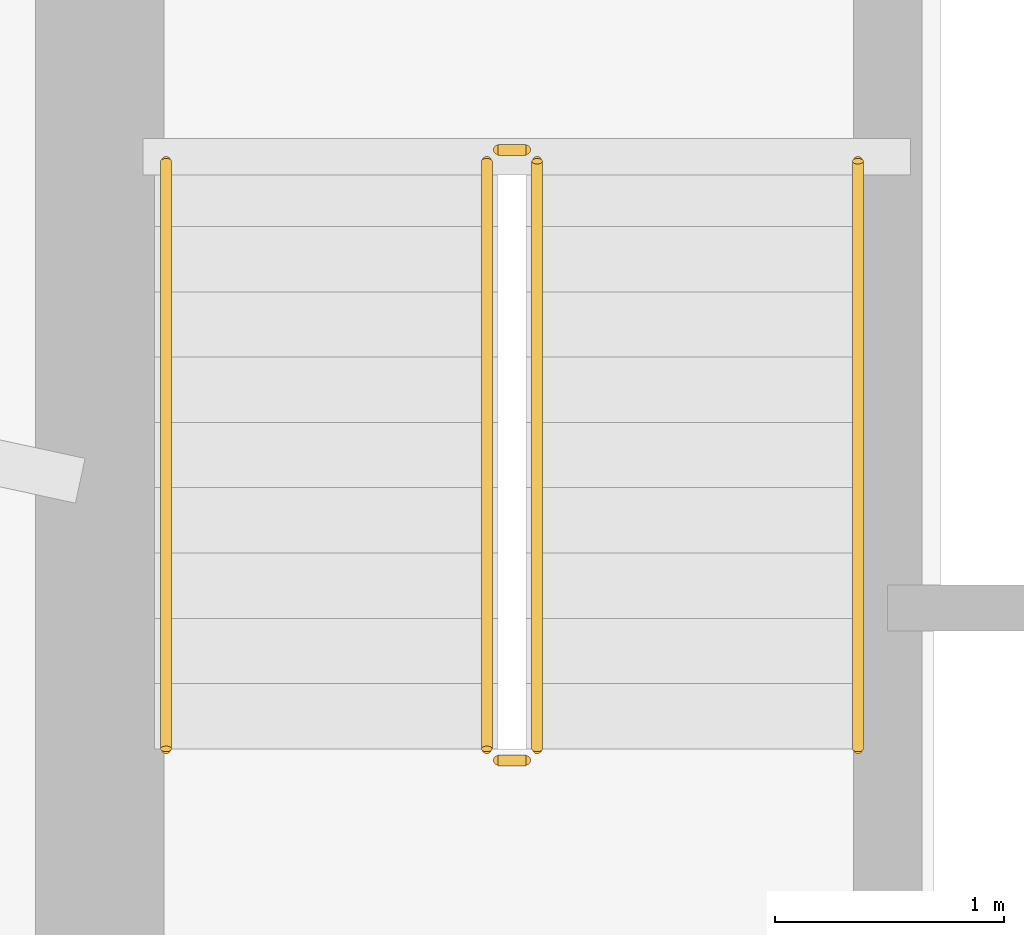
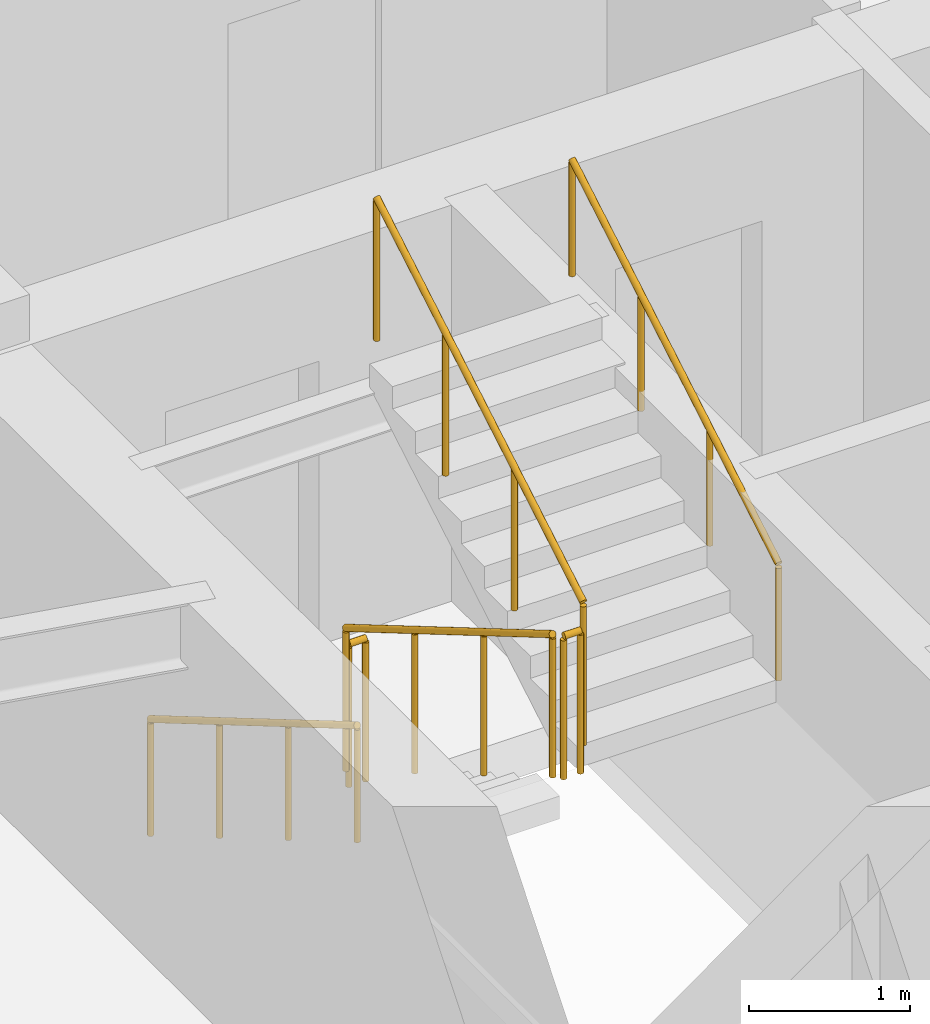
# One storey, part 19 of 20: 6 railings.
"""IFC4 building model written with IfcOpenShell, lengths in metres."""

from ifc_helpers import new_model, si_unit, direction, frame, origin, origin_2d, place, context, subcontext, project, spatial, circle, extrude, material, type_object, element, save


model = new_model("IFC4")

# Units and contexts
model_context = context("Model", 3, precision=1e-05, world=origin(), true_north=direction((0.0, 1.0)))
body_context = subcontext(model_context, "Body", "Model", "MODEL_VIEW")
ifc_project = project(units=[si_unit("LENGTHUNIT", "METRE"), si_unit("AREAUNIT", "SQUARE_METRE"), si_unit("VOLUMEUNIT", "CUBIC_METRE"), si_unit("PLANEANGLEUNIT", "RADIAN"), si_unit("MASSUNIT", "GRAM", prefix="KILO")], contexts=[model_context])

# Site, building, storey
site_placement = place(None, origin())
site = spatial("IfcSite", under=ifc_project, at=site_placement, CompositionType="ELEMENT")
building_placement = place(site_placement, origin())
building = spatial("IfcBuilding", under=site, at=building_placement, Name="Qobustan Lattice House", CompositionType="ELEMENT")
storey_placement = place(building_placement, frame((0.0, 0.0, 70.550048828125)))
storey = spatial("IfcBuildingStorey", under=building, at=storey_placement, Name="L19", CompositionType="ELEMENT", Elevation=70.550048828125)

# Railings
ifc_material_1 = material(Name="Brushed stainless steel handrail", Category="steel")
railing_type_1 = type_object("IfcRailingType", Name="RAL-HR-920", PredefinedType="HANDRAIL", material=ifc_material_1)
railing_1_placement = place(storey_placement, frame((-18.199951171875, 3.5, 0.16748046875)))
element("IfcRailing", 1, at=railing_1_placement, inside=storey, type_object=railing_type_1, Name="L19 ST-W1 stair handrail 1", PredefinedType="HANDRAIL", context=body_context, shape_type="SweptSolid", body=[
    extrude(circle(Radius=0.02392578125, at=origin_2d()), frame((0.0, 0.0, 0.8759765625), z_axis=(0.0, -0.862113467892, 0.50671527358), x_axis=(1.0, 0.0, 0.0)), (0.0, 0.0, 1.0), 2.97509765625),
    extrude(circle(Radius=0.02099609375, at=origin_2d()), origin(), (0.0, 0.0, 1.0), 0.851806640625),
    extrude(circle(Radius=0.02099609375, at=origin_2d()), frame((0.0, -0.85498046875, 0.50244140625)), (0.0, 0.0, 1.0), 0.851806640625),
    extrude(circle(Radius=0.02099609375, at=origin_2d()), frame((0.0, -1.7099609375, 1.005126953125)), (0.0, 0.0, 1.0), 0.851806640625),
    extrude(circle(Radius=0.02099609375, at=origin_2d()), frame((0.0, -2.56494140625, 1.507568359375)), (0.0, 0.0, 1.0), 0.851806640625),
])
railing_2_placement = place(storey_placement, frame((-15.179931640625, 0.93505859375, 1.842529296875)))
element("IfcRailing", 2, at=railing_2_placement, inside=storey, type_object=railing_type_1, Name="L19 ST-W1 stair handrail 2", PredefinedType="HANDRAIL", context=body_context, shape_type="SweptSolid", body=[
    extrude(circle(Radius=0.02392578125, at=origin_2d()), frame((0.0, 0.0, 0.8759765625), z_axis=(0.0, 0.862149314443, 0.506654280161), x_axis=(-1.0, 0.0, 0.0)), (0.0, 0.0, 1.0), 2.97509765625),
    extrude(circle(Radius=0.02099609375, at=origin_2d()), origin(), (0.0, 0.0, 1.0), 0.851806640625),
    extrude(circle(Radius=0.02099609375, at=origin_2d()), frame((0.0, 0.85498046875, 0.50244140625)), (0.0, 0.0, 1.0), 0.851806640625),
    extrude(circle(Radius=0.02099609375, at=origin_2d()), frame((0.0, 1.7099609375, 1.0048828125)), (0.0, 0.0, 1.0), 0.851806640625),
    extrude(circle(Radius=0.02099609375, at=origin_2d()), frame((0.0, 2.56494140625, 1.50732421875)), (0.0, 0.0, 1.0), 0.851806640625),
])
ifc_material_2 = material(Name="Painted galvanized steel guardrail", Category="steel")
railing_type_2 = type_object("IfcRailingType", Name="RAL-STG-1150", PredefinedType="GUARDRAIL", material=ifc_material_2)
railing_3_placement = place(storey_placement, frame((-16.800048828125, 3.5, 0.16748046875)))
element("IfcRailing", 3, at=railing_3_placement, inside=storey, type_object=railing_type_2, Name="L19 ST-W1 stair guard 1", PredefinedType="GUARDRAIL", context=body_context, shape_type="SweptSolid", body=[
    extrude(circle(Radius=0.02392578125, at=origin_2d()), frame((0.0, 0.0, 1.076171875), z_axis=(0.0, -0.862113467892, 0.50671527358), x_axis=(1.0, 0.0, 0.0)), (0.0, 0.0, 1.0), 2.97509765625),
    extrude(circle(Radius=0.02099609375, at=origin_2d()), origin(), (0.0, 0.0, 1.0), 1.052001953125),
    extrude(circle(Radius=0.02099609375, at=origin_2d()), frame((0.0, -0.85498046875, 0.50244140625)), (0.0, 0.0, 1.0), 1.052001953125),
    extrude(circle(Radius=0.02099609375, at=origin_2d()), frame((0.0, -1.7099609375, 1.005126953125)), (0.0, 0.0, 1.0), 1.052001953125),
    extrude(circle(Radius=0.02099609375, at=origin_2d()), frame((0.0, -2.56494140625, 1.507568359375)), (0.0, 0.0, 1.0), 1.052001953125),
])
railing_4_placement = place(storey_placement, frame((-16.75, 0.885009765625, 1.675048828125)))
element("IfcRailing", 4, at=railing_4_placement, inside=storey, type_object=railing_type_2, Name="L19 ST-W1 stair guard 2", PredefinedType="GUARDRAIL", context=body_context, shape_type="SweptSolid", body=[
    extrude(circle(Radius=0.02392578125, at=origin_2d()), frame((0.0, 0.0, 1.076171875), z_axis=(1.0, 0.0, 0.0), x_axis=(0.0, 1.0, 0.0)), (0.0, 0.0, 1.0), 0.1201171875),
    extrude(circle(Radius=0.02099609375, at=origin_2d()), origin(), (0.0, 0.0, 1.0), 1.052001953125),
    extrude(circle(Radius=0.02099609375, at=origin_2d()), frame((0.1201171875, 0.0, 0.0)), (0.0, 0.0, 1.0), 1.052001953125),
])
railing_5_placement = place(storey_placement, frame((-16.580078125, 0.93505859375, 1.842529296875)))
element("IfcRailing", 5, at=railing_5_placement, inside=storey, type_object=railing_type_2, Name="L19 ST-W1 stair guard 3", PredefinedType="GUARDRAIL", context=body_context, shape_type="SweptSolid", body=[
    extrude(circle(Radius=0.02392578125, at=origin_2d()), frame((0.0, 0.0, 1.076171875), z_axis=(0.0, 0.862149314443, 0.506654280161), x_axis=(-1.0, 0.0, 0.0)), (0.0, 0.0, 1.0), 2.97509765625),
    extrude(circle(Radius=0.02099609375, at=origin_2d()), origin(), (0.0, 0.0, 1.0), 1.052001953125),
    extrude(circle(Radius=0.02099609375, at=origin_2d()), frame((0.0, 0.85498046875, 0.50244140625)), (0.0, 0.0, 1.0), 1.052001953125),
    extrude(circle(Radius=0.02099609375, at=origin_2d()), frame((0.0, 1.7099609375, 1.0048828125)), (0.0, 0.0, 1.0), 1.052001953125),
    extrude(circle(Radius=0.02099609375, at=origin_2d()), frame((0.0, 2.56494140625, 1.50732421875)), (0.0, 0.0, 1.0), 1.052001953125),
])
railing_6_placement = place(storey_placement, frame((-16.75, 3.550048828125, 0.0)))
element("IfcRailing", 6, at=railing_6_placement, inside=storey, type_object=railing_type_2, Name="L19 ST-W1 stair guard 4", PredefinedType="GUARDRAIL", context=body_context, shape_type="SweptSolid", body=[
    extrude(circle(Radius=0.02392578125, at=origin_2d()), frame((0.0, 0.0, 1.076171875), z_axis=(1.0, 0.0, 0.0), x_axis=(0.0, 1.0, 0.0)), (0.0, 0.0, 1.0), 0.1201171875),
    extrude(circle(Radius=0.02099609375, at=origin_2d()), origin(), (0.0, 0.0, 1.0), 1.052001953125),
    extrude(circle(Radius=0.02099609375, at=origin_2d()), frame((0.1201171875, 0.0, 0.0)), (0.0, 0.0, 1.0), 1.052001953125),
])

save(model, "model.ifc")
